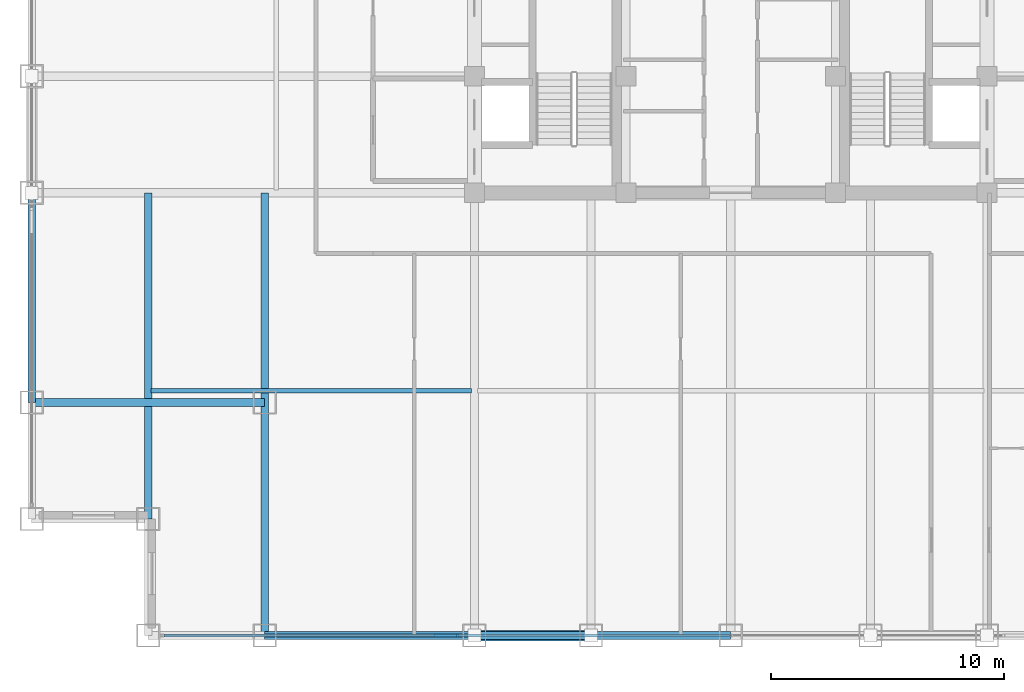
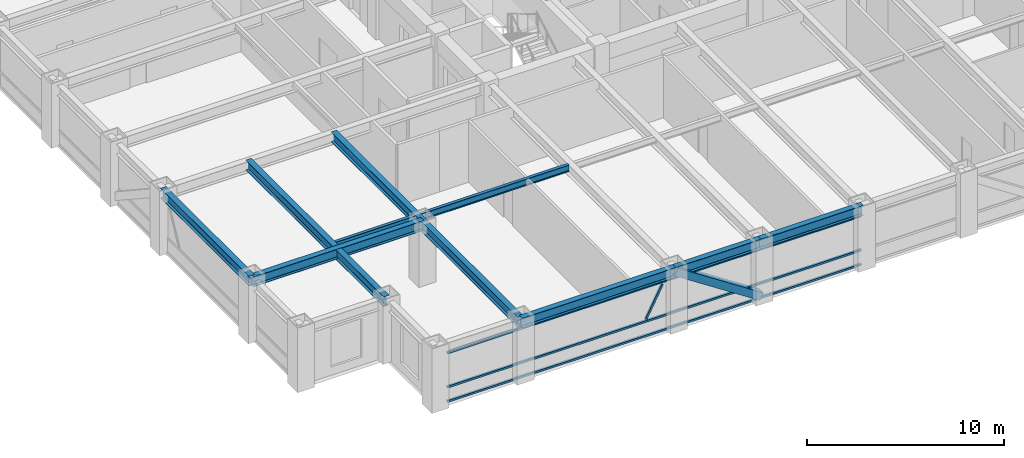
# One storey, part 3 of 25: 8 beams, 5 members, 1 element without a shape of its own.
"""IFC4 building model written with IfcOpenShell, lengths in metres."""

from ifc_helpers import new_model, si_unit, direction, frame, origin, origin_2d, place, context, subcontext, project, spatial, hollow_rectangle, i_section, extrude, source, transform, mapped, material, material_profile, profile_set, type_object, element, aggregate, save


model = new_model("IFC4")

# Units and contexts
model_context = context("Model", 3, precision=1e-05, world=origin(), true_north=direction((0.0, 1.0)))
body_context = subcontext(model_context, "Body", "Model", "MODEL_VIEW")
ifc_project = project(units=[si_unit("LENGTHUNIT", "METRE"), si_unit("AREAUNIT", "SQUARE_METRE"), si_unit("VOLUMEUNIT", "CUBIC_METRE"), si_unit("PLANEANGLEUNIT", "RADIAN"), si_unit("MASSUNIT", "GRAM", prefix="KILO")], contexts=[model_context])

# Site, building, storey
site_placement = place(None, origin())
site = spatial("IfcSite", under=ifc_project, at=site_placement, CompositionType="ELEMENT")
building_placement = place(site_placement, origin())
building = spatial("IfcBuilding", under=site, at=building_placement, Name="Khorayat Bourse Tower", CompositionType="ELEMENT")
storey_placement = place(building_placement, frame((0.0, 0.0, 251.10009765625)))
storey = spatial("IfcBuildingStorey", under=building, at=storey_placement, Name="L59", CompositionType="ELEMENT", Elevation=251.10009765625)

# Beams
ifc_material_1 = material(Name="Steel ASTM A992 Grade 50", Category="steel")
ifc_material_profile_1 = material_profile(ifc_material_1, i_section(OverallWidth=0.324951171875, OverallDepth=0.615966796875, WebThickness=0.013916015625, FlangeThickness=0.021484375, FilletRadius=0.01611328125, at=origin_2d()), Name="W610X174")
ifc_profile_set_1 = profile_set([ifc_material_profile_1], Name="Steel ASTM A992 Grade 50")
beam_type_1 = type_object("IfcBeamType", Name="BM-GIRD-610", PredefinedType="BEAM", material=ifc_profile_set_1)
shared_shape_1 = source(origin(), body_context, "Body", "SweptSolid", [
    extrude(i_section(OverallWidth=0.324951171875, OverallDepth=0.615966796875, WebThickness=0.013916015625, FlangeThickness=0.021484375, FilletRadius=0.01611328125, at=origin_2d()), origin(), (0.0, 0.0, 1.0), 19.0),
])
beam_1_placement = place(storey_placement, frame((-20.0, -30.0, 3.471923828125), z_axis=(0.0, 1.0, 0.0), x_axis=(-1.0, 0.0, 0.0)))
element("IfcBeam", 1, at=beam_1_placement, inside=storey, type_object=beam_type_1, Name="L59 BM-GIRD-610 BM-L59-CNRY-084", PredefinedType="BEAM", context=body_context, shape_type="MappedRepresentation", body=[
    mapped(shared_shape_1, transform((0.0, 0.0, 0.0), scale=1.0)),
])
shared_shape_2 = source(origin(), body_context, "Body", "SweptSolid", [
    extrude(i_section(OverallWidth=0.324951171875, OverallDepth=0.615966796875, WebThickness=0.013916015625, FlangeThickness=0.021484375, FilletRadius=0.01611328125, at=origin_2d()), origin(), (0.0, 0.0, 1.0), 10.0),
])
beam_2_placement = place(storey_placement, frame((-30.0, -20.0, 3.471923828125), z_axis=(1.0, 0.0, 0.0), x_axis=(0.0, 1.0, 0.0)))
element("IfcBeam", 2, at=beam_2_placement, inside=storey, type_object=beam_type_1, Name="L59 BM-GIRD-610 BM-L59-CNRX-093", PredefinedType="BEAM", context=body_context, shape_type="MappedRepresentation", body=[
    mapped(shared_shape_2, transform((0.0, 0.0, 0.0), scale=1.0)),
])
ifc_material_profile_2 = material_profile(ifc_material_1, i_section(OverallWidth=0.324951171875, OverallDepth=0.615966796875, WebThickness=0.013916015625, FlangeThickness=0.021484375, FilletRadius=0.01611328125, at=origin_2d()), Name="W610X174")
ifc_profile_set_2 = profile_set([ifc_material_profile_2], Name="Steel ASTM A992 Grade 50")
beam_type_2 = type_object("IfcBeamType", Name="BM-SPAN-610", PredefinedType="SPANDREL", material=ifc_profile_set_2)
shared_shape_3 = source(origin(), body_context, "Body", "SweptSolid", [
    extrude(i_section(OverallWidth=0.324951171875, OverallDepth=0.615966796875, WebThickness=0.013916015625, FlangeThickness=0.021484375, FilletRadius=0.01611328125, at=origin_2d()), origin(), (0.0, 0.0, 1.0), 9.0),
])
for number, where, z_axis, x_axis, name in (
    (3, (-20.0, -30.0, 3.471923828125), (1.0, 0.0, 0.0), (0.0, 1.0, 0.0), "L59 BM-SPAN-610 BM-L59-SPN-025"),
    (4, (-30.0, -20.0, 3.471923828125), (0.0, 1.0, 0.0), (-1.0, 0.0, 0.0), "L59 BM-SPAN-610 BM-L59-SPN-060"),
):
    element("IfcBeam", number, at=place(storey_placement, frame(where, z_axis=z_axis, x_axis=x_axis)), inside=storey, type_object=beam_type_2, Name=name, PredefinedType="SPANDREL", context=body_context, shape_type="MappedRepresentation", body=[
        mapped(shared_shape_3, transform((0.0, 0.0, 0.0), scale=1.0)),
    ])
shared_shape_4 = source(origin(), body_context, "Body", "SweptSolid", [
    extrude(i_section(OverallWidth=0.324951171875, OverallDepth=0.615966796875, WebThickness=0.013916015625, FlangeThickness=0.021484375, FilletRadius=0.01611328125, at=origin_2d()), origin(), (0.0, 0.0, 1.0), 5.0),
])
beam_3_placement = place(storey_placement, frame((-11.0, -30.0, 3.471923828125), z_axis=(1.0, 0.0, 0.0), x_axis=(0.0, 1.0, 0.0)))
element("IfcBeam", 5, at=beam_3_placement, inside=storey, type_object=beam_type_2, Name="L59 BM-SPAN-610 BM-L59-SPN-026", PredefinedType="SPANDREL", context=body_context, shape_type="MappedRepresentation", body=[
    mapped(shared_shape_4, transform((0.0, 0.0, 0.0), scale=1.0)),
])
shared_shape_5 = source(origin(), body_context, "Body", "SweptSolid", [
    extrude(i_section(OverallWidth=0.324951171875, OverallDepth=0.615966796875, WebThickness=0.013916015625, FlangeThickness=0.021484375, FilletRadius=0.01611328125, at=origin_2d()), origin(), (0.0, 0.0, 1.0), 6.0),
])
beam_4_placement = place(storey_placement, frame((-6.0, -30.0, 3.471923828125), z_axis=(1.0, 0.0, 0.0), x_axis=(0.0, 1.0, 0.0)))
element("IfcBeam", 6, at=beam_4_placement, inside=storey, type_object=beam_type_2, Name="L59 BM-SPAN-610 BM-L59-SPN-027", PredefinedType="SPANDREL", context=body_context, shape_type="MappedRepresentation", body=[
    mapped(shared_shape_5, transform((0.0, 0.0, 0.0), scale=1.0)),
])
shared_shape_6 = source(origin(), body_context, "Body", "SweptSolid", [
    extrude(i_section(OverallWidth=0.324951171875, OverallDepth=0.615966796875, WebThickness=0.013916015625, FlangeThickness=0.021484375, FilletRadius=0.01611328125, at=origin_2d()), origin(), (0.0, 0.0, 1.0), 14.0),
])
beam_5_placement = place(storey_placement, frame((-25.0, -25.0, 3.471923828125), z_axis=(0.0, 1.0, 0.0), x_axis=(-1.0, 0.0, 0.0)))
element("IfcBeam", 7, at=beam_5_placement, inside=storey, type_object=beam_type_1, Name="L59 BM-GIRD-610 BM-L59-CNRY-088", PredefinedType="BEAM", context=body_context, shape_type="MappedRepresentation", body=[
    mapped(shared_shape_6, transform((0.0, 0.0, 0.0), scale=1.0)),
])
ifc_material_profile_3 = material_profile(ifc_material_1, i_section(OverallWidth=0.180908203125, OverallDepth=0.4169921875, WebThickness=0.010986328125, FlangeThickness=0.018310546875, FilletRadius=0.011962890625, at=origin_2d()), Name="W410X85")
ifc_profile_set_3 = profile_set([ifc_material_profile_3], Name="Steel ASTM A992 Grade 50")
beam_type_3 = type_object("IfcBeamType", Name="BM-JOIST-410", PredefinedType="JOIST", material=ifc_profile_set_3)
shared_shape_7 = source(origin(), body_context, "Body", "SweptSolid", [
    extrude(i_section(OverallWidth=0.180908203125, OverallDepth=0.4169921875, WebThickness=0.010986328125, FlangeThickness=0.018310546875, FilletRadius=0.011962890625, at=origin_2d()), origin(), (0.0, 0.0, 1.0), 13.740234375),
])
beam_6_placement = place(storey_placement, frame((-24.8701171875, -19.5, 3.5712890625), z_axis=(1.0, 0.0, 0.0), x_axis=(0.0, 1.0, 0.0)))
element("IfcBeam", 8, at=beam_6_placement, inside=storey, type_object=beam_type_3, Name="L59 BM-JOIST-410 BM-L59-JSTX-096", PredefinedType="JOIST", context=body_context, shape_type="MappedRepresentation", body=[
    mapped(shared_shape_7, transform((0.0, 0.0, 0.0), scale=1.0)),
])

# Member
ifc_material_2 = material(Name="Steel EN 10025-4 S460M", Category="steel")
ifc_material_profile_4 = material_profile(ifc_material_2, hollow_rectangle(XDim=0.449951171875, YDim=0.449951171875, WallThickness=0.02490234375, at=origin_2d()), Name="HSS 450x450x25")
ifc_profile_set_4 = profile_set([ifc_material_profile_4], Name="Steel EN 10025-4 S460M")
member_type_1 = type_object("IfcMemberType", Name="MBR-TUBE-450", PredefinedType="BRACE", material=ifc_profile_set_4)
shared_shape_8 = source(origin(), body_context, "Body", "SweptSolid", [
    extrude(hollow_rectangle(XDim=0.449951171875, YDim=0.449951171875, WallThickness=0.02490234375, at=origin_2d()), origin(), (0.0, 0.0, 1.0), 5.979736328125),
])
member_1_placement = place(storey_placement, frame((-11.0, -30.0, 3.52978515625), z_axis=(0.836160261256, 0.0, -0.548485202623), x_axis=(0.0, 1.0, 0.0)))
element("IfcMember", 9, at=member_1_placement, inside=storey, type_object=member_type_1, Name="L59 Perimeter Tube Brace 01", PredefinedType="BRACE", context=body_context, shape_type="MappedRepresentation", body=[
    mapped(shared_shape_8, transform((0.0, 0.0, 0.0), scale=1.0)),
])

# Curtain wall, members
ifc_material_3 = material(Name="Aluminium EN AW-6063 T6", Category="aluminium")
curtain_wall_type = type_object("IfcCurtainWallType", Name="CW-SYS-03", PredefinedType="NOTDEFINED", material=ifc_material_3)
curtain_wall_placement = place(storey_placement, origin())
curtain_wall = element("IfcCurtainWall", 10, at=curtain_wall_placement, inside=storey, type_object=curtain_wall_type, Name="L59 Curtain Wall CW-L59-S1", PredefinedType="NOTDEFINED")
ifc_material_profile_5 = material_profile(ifc_material_3, hollow_rectangle(XDim=0.1201171875, YDim=0.1201171875, WallThickness=0.0048828125, at=origin_2d()), Name="ALU 120x120x5")
ifc_profile_set_5 = profile_set([ifc_material_profile_5], Name="Aluminium EN AW-6063 T6")
member_type_2 = type_object("IfcMemberType", Name="CWM-DIAG-120", PredefinedType="MULLION", material=ifc_profile_set_5)
shared_shape_9 = source(origin(), body_context, "Body", "SweptSolid", [
    extrude(hollow_rectangle(XDim=0.1201171875, YDim=0.1201171875, WallThickness=0.0048828125, at=origin_2d()), origin(), (0.0, 0.0, 1.0), 2.079345703125),
])
member_2_placement = place(storey_placement, frame((-12.67919921875, -30.0, 1.08984375), z_axis=(0.465760949701, 0.0, 0.884910581773), x_axis=(0.0, 1.0, 0.0)))
member_2 = element("IfcMember", 11, at=member_2_placement, type_object=member_type_2, Name="CW-L59-S1 Faceted Diagonal Mullion 1", PredefinedType="MULLION", context=body_context, shape_type="MappedRepresentation", body=[
    mapped(shared_shape_9, transform((0.0, 0.0, 0.0), scale=1.0)),
])
ifc_material_profile_6 = material_profile(ifc_material_3, hollow_rectangle(XDim=0.1201171875, YDim=0.1201171875, WallThickness=0.0048828125, at=origin_2d()), Name="ALU 120x120x5")
ifc_profile_set_6 = profile_set([ifc_material_profile_6], Name="Aluminium EN AW-6063 T6")
member_type_3 = type_object("IfcMemberType", Name="CWT-HORZ-120", PredefinedType="USERDEFINED", material=ifc_profile_set_6)
shared_shape_10 = source(origin(), body_context, "Body", "SweptSolid", [
    extrude(hollow_rectangle(XDim=0.1201171875, YDim=0.1201171875, WallThickness=0.0048828125, at=origin_2d()), origin(), (0.0, 0.0, 1.0), 24.27001953125),
])
member_3_placement = place(storey_placement, frame((-24.330078125, -30.0, 0.059814453125), z_axis=(1.0, 0.0, 0.0), x_axis=(0.0, 1.0, 0.0)))
member_3 = element("IfcMember", 12, at=member_3_placement, type_object=member_type_3, Name="CW-L59-S1 Horizontal Transom 1-1", ObjectType="TRANSOM", PredefinedType="USERDEFINED", context=body_context, shape_type="MappedRepresentation", body=[
    mapped(shared_shape_10, transform((0.0, 0.0, 0.0), scale=1.0)),
])
member_4_placement = place(storey_placement, frame((-24.330078125, -30.0, 0.949951171875), z_axis=(1.0, 0.0, 0.0), x_axis=(0.0, 1.0, 0.0)))
member_4 = element("IfcMember", 13, at=member_4_placement, type_object=member_type_3, Name="CW-L59-S1 Horizontal Transom 1-2", ObjectType="TRANSOM", PredefinedType="USERDEFINED", context=body_context, shape_type="MappedRepresentation", body=[
    mapped(shared_shape_10, transform((0.0, 0.0, 0.0), scale=1.0)),
])
member_5_placement = place(storey_placement, frame((-24.330078125, -30.0, 3.06982421875), z_axis=(1.0, 0.0, 0.0), x_axis=(0.0, 1.0, 0.0)))
member_5 = element("IfcMember", 14, at=member_5_placement, type_object=member_type_3, Name="CW-L59-S1 Horizontal Transom 1-3", ObjectType="TRANSOM", PredefinedType="USERDEFINED", context=body_context, shape_type="MappedRepresentation", body=[
    mapped(shared_shape_10, transform((0.0, 0.0, 0.0), scale=1.0)),
])
aggregate(curtain_wall, [member_3, member_4, member_5, member_2])

save(model, "model.ifc")
